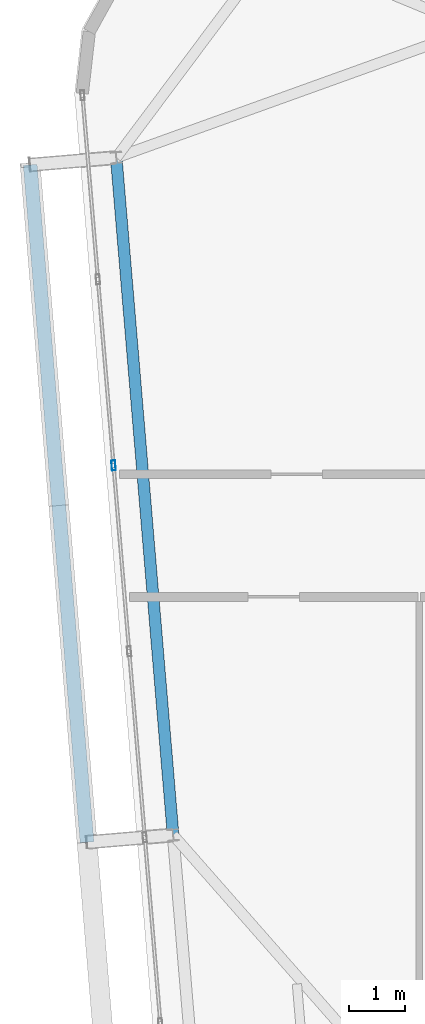
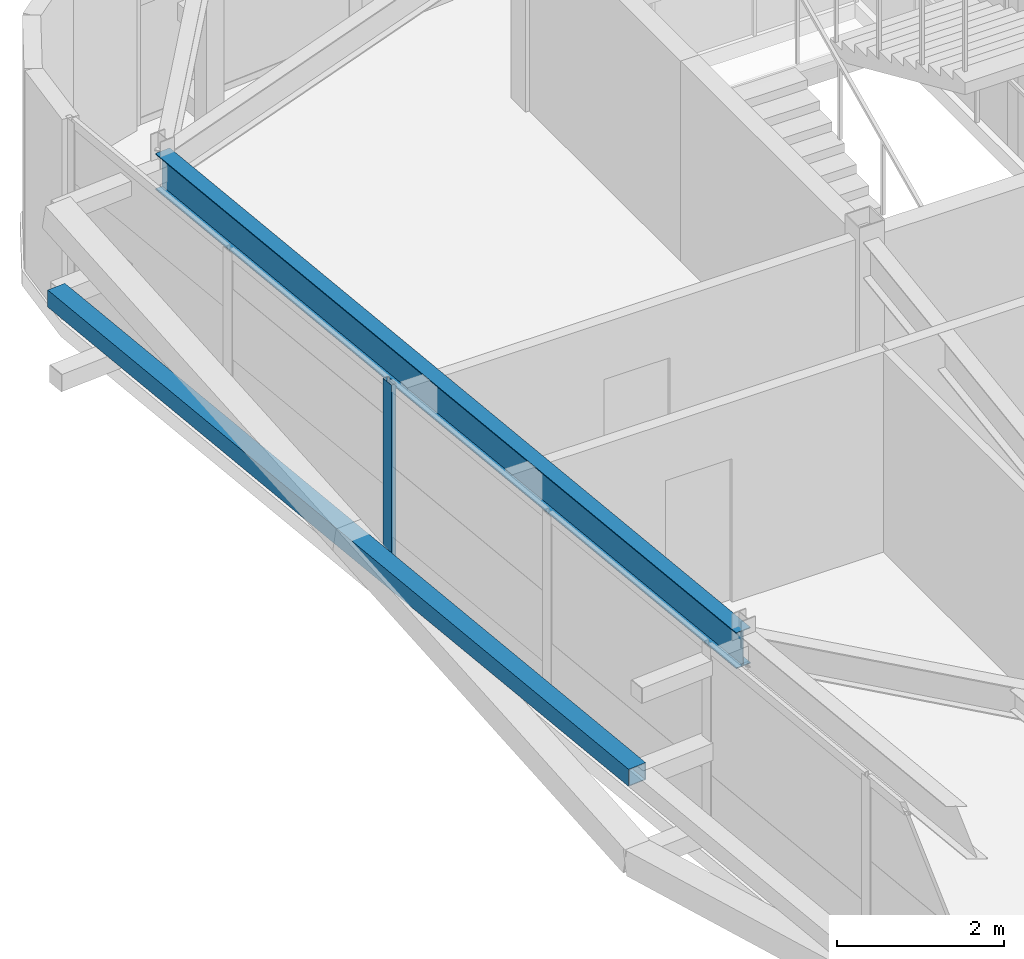
# One storey, part 15 of 46: 2 members, 1 beam, 1 element without a shape of its own.
"""IFC4 building model written with IfcOpenShell, lengths in metres."""

from ifc_helpers import new_model, si_unit, direction, frame, origin, origin_2d, place, context, subcontext, project, spatial, hollow_rectangle, i_section, extrude, source, transform, mapped, material, layer, layer_set, material_profile, profile_set, type_object, element, aggregate, save


model = new_model("IFC4")

# Units and contexts
model_context = context("Model", 3, precision=1e-05, world=origin(), true_north=direction((0.0, 1.0)))
body_context = subcontext(model_context, "Body", "Model", "MODEL_VIEW")
ifc_project = project(units=[si_unit("LENGTHUNIT", "METRE"), si_unit("AREAUNIT", "SQUARE_METRE"), si_unit("VOLUMEUNIT", "CUBIC_METRE"), si_unit("PLANEANGLEUNIT", "RADIAN"), si_unit("MASSUNIT", "GRAM", prefix="KILO")], contexts=[model_context])

# Site, building, storey
site_placement = place(None, origin())
site = spatial("IfcSite", under=ifc_project, at=site_placement, CompositionType="ELEMENT")
building_placement = place(site_placement, origin())
building = spatial("IfcBuilding", under=site, at=building_placement, Name="Taldren Reach Tower", CompositionType="ELEMENT")
storey_placement = place(building_placement, frame((0.0, 0.0, 194.60009765625)))
storey = spatial("IfcBuildingStorey", under=building, at=storey_placement, Name="L59", CompositionType="ELEMENT", Elevation=194.60009765625)

# Beam
ifc_material_1 = material(Name="Steel Gr 350 (350PLUS)", Category="steel")
ifc_material_profile_1 = material_profile(ifc_material_1, i_section(OverallWidth=0.208984375, OverallDepth=0.528076171875, WebThickness=0.009521484375, FlangeThickness=0.01318359375, at=origin_2d()), Name="530UB82.0")
ifc_profile_set_1 = profile_set([ifc_material_profile_1], Name="Steel Gr 350 (350PLUS)")
beam_type = type_object("IfcBeamType", Name="SP-UB530B", PredefinedType="SPANDREL", material=ifc_profile_set_1)
shared_shape_1 = source(origin(), body_context, "Body", "SweptSolid", [
    extrude(i_section(OverallWidth=0.208984375, OverallDepth=0.528076171875, WebThickness=0.009521484375, FlangeThickness=0.01318359375, at=origin_2d()), origin(), (0.0, 0.0, 1.0), 12.199951171875),
])
beam_placement = place(storey_placement, frame((12.56201171875, 29.682373046875, 2.666015625), z_axis=(0.083668166953, -0.99649367175, 0.0), x_axis=(0.99649367175, 0.083668166953, 0.0)))
element("IfcBeam", 1, at=beam_placement, inside=storey, type_object=beam_type, Name="Perimeter spandrel B4 W3-W2 L59", PredefinedType="SPANDREL", context=body_context, shape_type="MappedRepresentation", body=[
    mapped(shared_shape_1, transform((0.0, 0.0, 0.0), scale=1.0)),
])

# Member
ifc_material_2 = material(Name="Steel Gr 350 (C350L0)", Category="steel")
ifc_material_profile_2 = material_profile(ifc_material_2, hollow_rectangle(XDim=0.25, YDim=0.25, WallThickness=0.010009765625, at=origin_2d()), Name="250x250x10.0SHS")
ifc_profile_set_2 = profile_set([ifc_material_profile_2], Name="Steel Gr 350 (C350L0)")
member_type_1 = type_object("IfcMemberType", Name="MB-POST250", PredefinedType="POST", material=ifc_profile_set_2)
shared_shape_2 = source(origin(), body_context, "Body", "SweptSolid", [
    extrude(hollow_rectangle(XDim=0.25, YDim=0.25, WallThickness=0.010009765625, at=origin_2d()), origin(), (0.0, 0.0, 1.0), 12.199951171875),
])
member_1_placement = place(storey_placement, frame((12.0380859375, 17.3955078125, 1.434814453125), z_axis=(-0.083668166953, 0.99649367175, 0.0), x_axis=(-0.99649367175, -0.083668166953, 0.0)))
element("IfcMember", 2, at=member_1_placement, inside=storey, type_object=member_type_1, Name="Exoskeleton mid-height ring chord B4-W2 L59", PredefinedType="POST", context=body_context, shape_type="MappedRepresentation", body=[
    mapped(shared_shape_2, transform((0.0, 0.0, 0.0), scale=1.0)),
])

# Curtain wall, member
ifc_material_3 = material(Name="Aluminium and Low-E Glass Unitised System", Category="aluminium")
ifc_layer = layer(ifc_material_3, 0.159912109375)
ifc_layer_set = layer_set([ifc_layer], Name="Aluminium and Low-E Glass Unitised System")
curtain_wall_type = type_object("IfcCurtainWallType", Name="CW-SYS-5", PredefinedType="NOTDEFINED", material=ifc_layer_set)
curtain_wall_placement = place(storey_placement, origin())
curtain_wall = element("IfcCurtainWall", 3, at=curtain_wall_placement, inside=storey, type_object=curtain_wall_type, Name="Unitised curtain wall CW-L59-W", PredefinedType="NOTDEFINED")
ifc_material_4 = material(Name="Anodised Aluminium 6063-T6", Category="aluminium")
ifc_material_profile_3 = material_profile(ifc_material_4, hollow_rectangle(XDim=0.070068359375, YDim=0.179931640625, WallThickness=0.00390625, at=origin_2d()), Name="ALU-180x70x4RHS")
ifc_profile_set_3 = profile_set([ifc_material_profile_3], Name="Anodised Aluminium 6063-T6")
member_type_2 = type_object("IfcMemberType", Name="CW-MUL-180", PredefinedType="MULLION", material=ifc_profile_set_3)
shared_shape_3 = source(origin(), body_context, "Body", "SweptSolid", [
    extrude(hollow_rectangle(XDim=0.070068359375, YDim=0.179931640625, WallThickness=0.00390625, at=origin_2d()), origin(), (0.0, 0.0, 1.0), 2.929931640625),
])
member_2_placement = place(storey_placement, frame((12.513916015625, 24.158935546875, 0.0), z_axis=(0.0, 0.0, 1.0), x_axis=(0.996492847789, 0.083677979808, 0.0)))
member_2 = element("IfcMember", 4, at=member_2_placement, type_object=member_type_2, Name="CW-5 mullion 3", PredefinedType="MULLION", context=body_context, shape_type="MappedRepresentation", body=[
    mapped(shared_shape_3, transform((0.0, 0.0, 0.0), scale=1.0)),
])
aggregate(curtain_wall, [member_2])

save(model, "model.ifc")
